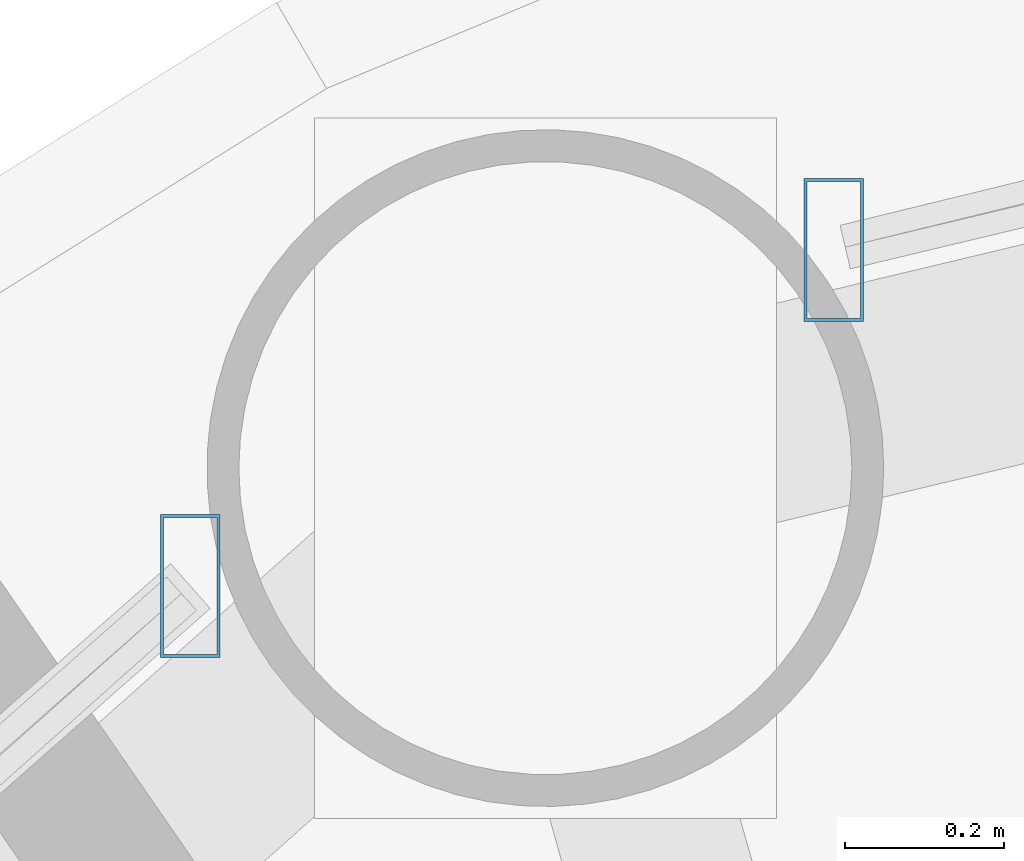
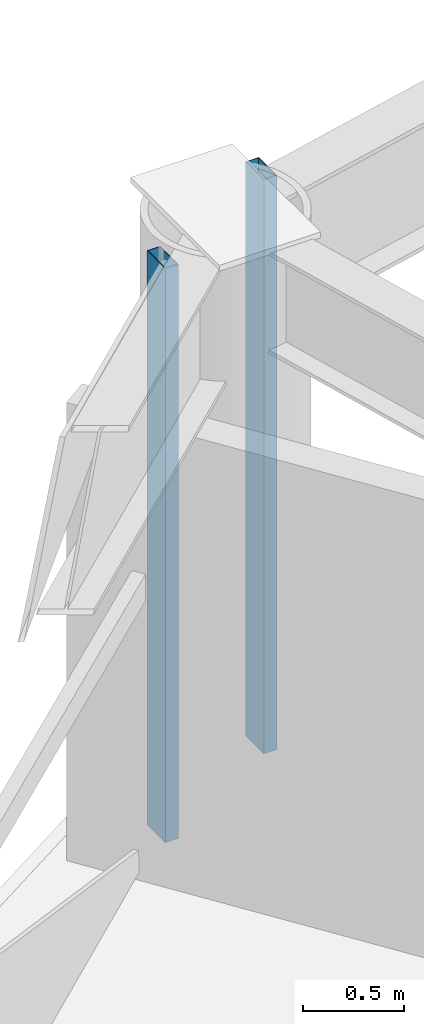
# One storey, part 17 of 32: 2 members, 2 elements without a shape of their own.
"""IFC4 building model written with IfcOpenShell, lengths in metres."""

from ifc_helpers import new_model, si_unit, direction, frame, origin, origin_2d, place, context, subcontext, project, spatial, hollow_rectangle, extrude, material, layer, layer_set, material_profile, profile_set, type_object, element, aggregate, save


model = new_model("IFC4")

# Units and contexts
model_context = context("Model", 3, precision=1e-05, world=origin(), true_north=direction((0.0, 1.0)))
body_context = subcontext(model_context, "Body", "Model", "MODEL_VIEW")
ifc_project = project(units=[si_unit("LENGTHUNIT", "METRE"), si_unit("AREAUNIT", "SQUARE_METRE"), si_unit("VOLUMEUNIT", "CUBIC_METRE"), si_unit("PLANEANGLEUNIT", "RADIAN"), si_unit("MASSUNIT", "GRAM", prefix="KILO")], contexts=[model_context])

# Site, building, storey
site_placement = place(None, origin())
site = spatial("IfcSite", under=ifc_project, at=site_placement, CompositionType="ELEMENT")
building_placement = place(site_placement, origin())
building = spatial("IfcBuilding", under=site, at=building_placement, Name="Vantalir Tower", CompositionType="ELEMENT")
storey_placement = place(building_placement, frame((0.0, 0.0, 45.75)))
storey = spatial("IfcBuildingStorey", under=building, at=storey_placement, Name="L10", CompositionType="ELEMENT", Elevation=45.75)

# Curtain wall, member
ifc_material_1 = material(Name="Champagne-silver PVDF aluminium and double-silver Low-E glass", Category="aluminium")
ifc_layer = layer(ifc_material_1, 0.18994140625)
ifc_layer_set = layer_set([ifc_layer], Name="Champagne-silver PVDF aluminium and double-silver Low-E glass")
curtain_wall_type = type_object("IfcCurtainWallType", Name="CW-DIAMOND-Z1", PredefinedType="USERDEFINED", material=ifc_layer_set)
curtain_wall_1_placement = place(storey_placement, origin())
curtain_wall_1 = element("IfcCurtainWall", 1, at=curtain_wall_1_placement, inside=storey, type_object=curtain_wall_type, Name="L10 Quilted Pyramid-Diamond Curtain Wall S04", ObjectType="UNITISED CURTAIN WALL", PredefinedType="USERDEFINED")
ifc_material_2 = material(Name="Champagne-silver PVDF aluminium 6063-T6", Category="aluminium")
ifc_material_profile = material_profile(ifc_material_2, hollow_rectangle(XDim=0.074951171875, YDim=0.179931640625, WallThickness=0.00390625, at=origin_2d()), Name="Champagne-silver PVDF aluminium 6063-T6")
ifc_profile_set = profile_set([ifc_material_profile], Name="Champagne-silver PVDF aluminium 6063-T6")
member_type = type_object("IfcMemberType", Name="CWM-180x75", PredefinedType="MULLION", material=ifc_profile_set)
member_1_placement = place(storey_placement, frame((18.54296875, 45.821044921875, 0.044921875), z_axis=(0.0, 0.0, 1.0), x_axis=(1.0, 0.0, 0.0)))
member_1 = element("IfcMember", 2, at=member_1_placement, type_object=member_type, Name="CW-L10-S04 Mullion 2", PredefinedType="MULLION", context=body_context, shape_type="SweptSolid", body=[
    extrude(hollow_rectangle(XDim=0.074951171875, YDim=0.179931640625, WallThickness=0.00390625, at=origin_2d()), origin(), (0.0, 0.0, 1.0), 3.47998046875),
])
aggregate(curtain_wall_1, [member_1])

curtain_wall_2_placement = place(storey_placement, origin())
curtain_wall_2 = element("IfcCurtainWall", 3, at=curtain_wall_2_placement, inside=storey, type_object=curtain_wall_type, Name="L10 Quilted Pyramid-Diamond Curtain Wall S05", ObjectType="UNITISED CURTAIN WALL", PredefinedType="USERDEFINED")
member_2_placement = place(storey_placement, frame((17.735107421875, 45.39892578125, 0.044921875), z_axis=(0.0, 0.0, 1.0), x_axis=(1.0, 0.0, 0.0)))
member_2 = element("IfcMember", 4, at=member_2_placement, type_object=member_type, Name="CW-L10-S05 Mullion 1", PredefinedType="MULLION", context=body_context, shape_type="SweptSolid", body=[
    extrude(hollow_rectangle(XDim=0.074951171875, YDim=0.179931640625, WallThickness=0.00390625, at=origin_2d()), origin(), (0.0, 0.0, 1.0), 3.47998046875),
])
aggregate(curtain_wall_2, [member_2])

save(model, "model.ifc")
